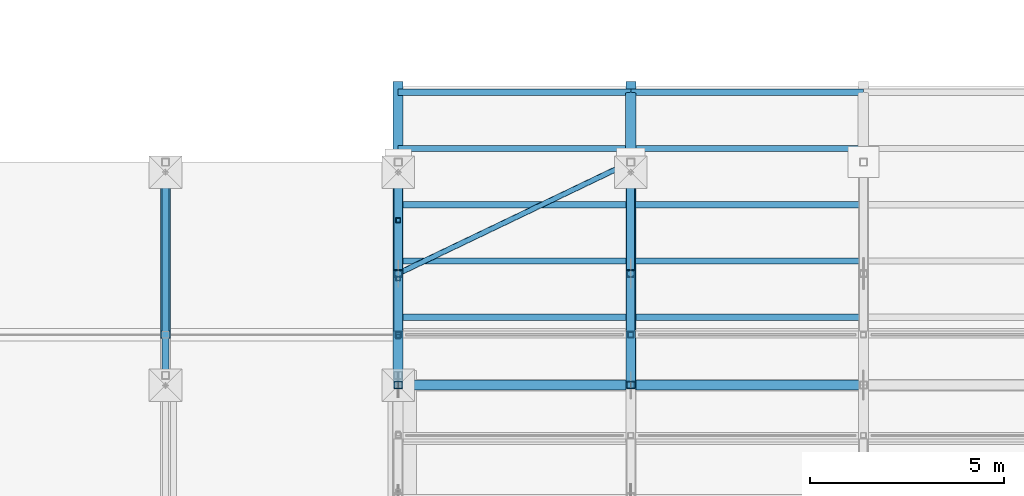
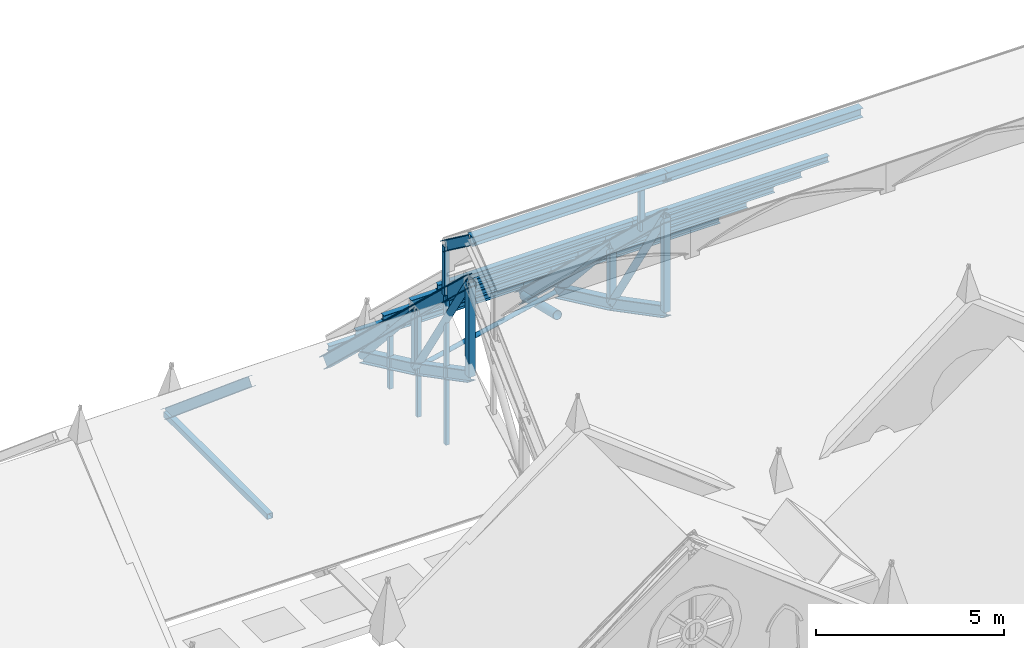
# One storey, part 6 of 33: 39 members.
"""IFC4 building model written with IfcOpenShell, lengths in metres."""

from ifc_helpers import new_model, si_unit, direction, frame, origin, origin_2d, place, context, subcontext, project, spatial, hollow_rectangle, hollow_circle, i_section, extrude, material, material_profile, profile_set, type_object, element, save


model = new_model("IFC4")

# Units and contexts
model_context = context("Model", 3, precision=1e-05, world=origin(), true_north=direction((0.0, 1.0)))
body_context = subcontext(model_context, "Body", "Model", "MODEL_VIEW")
ifc_project = project(units=[si_unit("LENGTHUNIT", "METRE"), si_unit("AREAUNIT", "SQUARE_METRE"), si_unit("VOLUMEUNIT", "CUBIC_METRE"), si_unit("PLANEANGLEUNIT", "RADIAN"), si_unit("MASSUNIT", "GRAM", prefix="KILO")], contexts=[model_context])

# Site, building, storey
site_placement = place(None, origin())
site = spatial("IfcSite", under=ifc_project, at=site_placement, CompositionType="ELEMENT")
building_placement = place(site_placement, origin())
building = spatial("IfcBuilding", under=site, at=building_placement, Name="Cumevento Cable Car Station", CompositionType="ELEMENT")
storey_placement = place(building_placement, frame((0.0, 0.0, 22.5)))
storey = spatial("IfcBuildingStorey", under=building, at=storey_placement, Name="RF", CompositionType="ELEMENT", Elevation=22.5)

# Members
ifc_material_1 = material(Name="Steel ASTM A572 Grade 50", Category="steel")
ifc_material_profile_1 = material_profile(ifc_material_1, hollow_rectangle(XDim=0.179931640625, YDim=0.179931640625, WallThickness=0.010009765625, at=origin_2d()), Name="HSS180x180x10.0")
ifc_profile_set_1 = profile_set([ifc_material_profile_1], Name="Steel ASTM A572 Grade 50")
member_type_1 = type_object("IfcMemberType", Name="Framing Brace BR-01 HSS180x180x10.0", PredefinedType="BRACE", material=ifc_profile_set_1)
member_1_placement = place(storey_placement, frame((58.0, 51.0, 0.360107421875), z_axis=(0.0, 1.0, 0.0), x_axis=(-1.0, 0.0, 0.0)))
element("IfcMember", 1, at=member_1_placement, inside=storey, type_object=member_type_1, Name="Wing B_V3d Truss Tie #756", PredefinedType="BRACE", context=body_context, shape_type="SweptSolid", body=[
    extrude(hollow_rectangle(XDim=0.179931640625, YDim=0.179931640625, WallThickness=0.010009765625, at=origin_2d()), origin(), (0.0, 0.0, 1.0), 5.5),
])
ifc_material_2 = material(Name="Steel ASTM A572 Grade 50", Category="steel")
ifc_material_profile_2 = material_profile(ifc_material_2, hollow_circle(Radius=0.06982421875, WallThickness=0.008056640625, at=origin_2d()), Name="CHS139.7x8.0")
ifc_profile_set_2 = profile_set([ifc_material_profile_2], Name="Steel ASTM A572 Grade 50")
member_type_2 = type_object("IfcMemberType", Name="Framing Brace BR-02 CHS139.7x8.0", PredefinedType="BRACE", material=ifc_profile_set_2)
member_2_placement = place(storey_placement, frame((64.0, 53.625, 1.489990234375), z_axis=(0.883803033724, 0.423488953659, -0.198870067403), x_axis=(-0.432120180431, 0.901816028725, 0.0)))
element("IfcMember", 2, at=member_2_placement, inside=storey, type_object=member_type_2, Name="Boarding Hall Roof Wind Brace #333", PredefinedType="BRACE", context=body_context, shape_type="SweptSolid", body=[
    extrude(hollow_circle(Radius=0.06982421875, WallThickness=0.008056640625, at=origin_2d()), origin(), (0.0, 0.0, 1.0), 6.788818359375),
])
ifc_material_3 = material(Name="Steel ASTM A572 Grade 50", Category="steel")
ifc_material_profile_3 = material_profile(ifc_material_3, hollow_circle(Radius=0.109619140625, WallThickness=0.012451171875, at=origin_2d()), Name="CHS219.1x12.5")
ifc_profile_set_3 = profile_set([ifc_material_profile_3], Name="Steel ASTM A572 Grade 50")
member_type_3 = type_object("IfcMemberType", Name="Framing Brace TD-01 CHS219.1x12.5", PredefinedType="BRACE", material=ifc_profile_set_3)
member_3_placement = place(storey_placement, frame((64.0, 56.5, 0.139892578125), z_axis=(0.0, -0.669655633009, 0.74267175332), x_axis=(1.0, 0.0, 0.0)))
element("IfcMember", 3, at=member_3_placement, inside=storey, type_object=member_type_3, Name="Boarding Hall Vault Arch Diagonal #20", PredefinedType="BRACE", context=body_context, shape_type="SweptSolid", body=[
    extrude(hollow_circle(Radius=0.109619140625, WallThickness=0.012451171875, at=origin_2d()), origin(), (0.0, 0.0, 1.0), 4.293212890625),
])
member_4_placement = place(storey_placement, frame((64.0, 53.625, 1.489990234375), z_axis=(0.0, -0.532794069711, 0.846244928659), x_axis=(1.0, 0.0, 0.0)))
element("IfcMember", 4, at=member_4_placement, inside=storey, type_object=member_type_3, Name="Boarding Hall Vault Arch Diagonal #21", PredefinedType="BRACE", context=body_context, shape_type="SweptSolid", body=[
    extrude(hollow_circle(Radius=0.109619140625, WallThickness=0.012451171875, at=origin_2d()), origin(), (0.0, 0.0, 1.0), 5.39599609375),
])
member_5_placement = place(storey_placement, frame((70.0, 56.5, 0.139892578125), z_axis=(0.0, -0.669655633009, 0.74267175332), x_axis=(1.0, 0.0, 0.0)))
element("IfcMember", 5, at=member_5_placement, inside=storey, type_object=member_type_3, Name="Boarding Hall Vault Arch Diagonal #47", PredefinedType="BRACE", context=body_context, shape_type="SweptSolid", body=[
    extrude(hollow_circle(Radius=0.109619140625, WallThickness=0.012451171875, at=origin_2d()), origin(), (0.0, 0.0, 1.0), 4.293212890625),
])
member_6_placement = place(storey_placement, frame((70.0, 53.625, 1.489990234375), z_axis=(0.0, -0.532794069711, 0.846244928659), x_axis=(1.0, 0.0, 0.0)))
element("IfcMember", 6, at=member_6_placement, inside=storey, type_object=member_type_3, Name="Boarding Hall Vault Arch Diagonal #48", PredefinedType="BRACE", context=body_context, shape_type="SweptSolid", body=[
    extrude(hollow_circle(Radius=0.109619140625, WallThickness=0.012451171875, at=origin_2d()), origin(), (0.0, 0.0, 1.0), 5.39599609375),
])
ifc_material_4 = material(Name="Steel ASTM A572 Grade 50", Category="steel")
ifc_material_profile_4 = material_profile(ifc_material_4, i_section(OverallWidth=0.257080078125, OverallDepth=0.363037109375, WebThickness=0.012939453125, FlangeThickness=0.021728515625, at=origin_2d()), Name="W360x122.0")
ifc_profile_set_4 = profile_set([ifc_material_profile_4], Name="Steel ASTM A572 Grade 50")
member_type_4 = type_object("IfcMemberType", Name="Framing Chord TC-01 W360x122.0", PredefinedType="CHORD", material=ifc_profile_set_4)
member_7_placement = place(storey_placement, frame((64.0, 50.75, 6.056396484375), z_axis=(0.0, 0.725405335462, -0.688321944502), x_axis=(-1.0, 0.0, 0.0)))
element("IfcMember", 7, at=member_7_placement, inside=storey, type_object=member_type_4, Name="Boarding Hall Vault Upper Rafter N #9", PredefinedType="CHORD", context=body_context, shape_type="SweptSolid", body=[
    extrude(i_section(OverallWidth=0.257080078125, OverallDepth=0.363037109375, WebThickness=0.012939453125, FlangeThickness=0.021728515625, at=origin_2d()), origin(), (0.0, 0.0, 1.0), 3.96337890625),
])
member_8_placement = place(storey_placement, frame((64.0, 53.625, 3.328369140625), z_axis=(0.0, 0.725363131924, -0.688366419028), x_axis=(-1.0, 0.0, 0.0)))
element("IfcMember", 8, at=member_8_placement, inside=storey, type_object=member_type_4, Name="Boarding Hall Vault Lower Rafter N #10", PredefinedType="CHORD", context=body_context, shape_type="SweptSolid", body=[
    extrude(i_section(OverallWidth=0.257080078125, OverallDepth=0.363037109375, WebThickness=0.012939453125, FlangeThickness=0.021728515625, at=origin_2d()), origin(), (0.0, 0.0, 1.0), 6.65185546875),
])
member_9_placement = place(storey_placement, frame((70.0, 50.75, 6.056396484375), z_axis=(0.0, 0.725405335462, -0.688321944502), x_axis=(-1.0, 0.0, 0.0)))
element("IfcMember", 9, at=member_9_placement, inside=storey, type_object=member_type_4, Name="Boarding Hall Vault Upper Rafter N #36", PredefinedType="CHORD", context=body_context, shape_type="SweptSolid", body=[
    extrude(i_section(OverallWidth=0.257080078125, OverallDepth=0.363037109375, WebThickness=0.012939453125, FlangeThickness=0.021728515625, at=origin_2d()), origin(), (0.0, 0.0, 1.0), 3.96337890625),
])
member_10_placement = place(storey_placement, frame((70.0, 53.625, 3.328369140625), z_axis=(0.0, 0.725363131924, -0.688366419028), x_axis=(-1.0, 0.0, 0.0)))
element("IfcMember", 10, at=member_10_placement, inside=storey, type_object=member_type_4, Name="Boarding Hall Vault Lower Rafter N #37", PredefinedType="CHORD", context=body_context, shape_type="SweptSolid", body=[
    extrude(i_section(OverallWidth=0.257080078125, OverallDepth=0.363037109375, WebThickness=0.012939453125, FlangeThickness=0.021728515625, at=origin_2d()), origin(), (0.0, 0.0, 1.0), 6.65185546875),
])
ifc_material_5 = material(Name="Steel ASTM A572 Grade 50", Category="steel")
ifc_material_profile_5 = material_profile(ifc_material_5, i_section(OverallWidth=0.2548828125, OverallDepth=0.35693359375, WebThickness=0.010498046875, FlangeThickness=0.018310546875, at=origin_2d()), Name="W360x101.0")
ifc_profile_set_5 = profile_set([ifc_material_profile_5], Name="Steel ASTM A572 Grade 50")
member_type_5 = type_object("IfcMemberType", Name="Framing Chord TC-02 W360x101.0", PredefinedType="CHORD", material=ifc_profile_set_5)
member_11_placement = place(storey_placement, frame((64.0, 50.75, 2.989990234375), z_axis=(0.0, 0.886584846165, -0.462566006695), x_axis=(-1.0, 0.0, 0.0)))
element("IfcMember", 11, at=member_11_placement, inside=storey, type_object=member_type_5, Name="Boarding Hall Pointed-Arch Bottom Chord #5", PredefinedType="CHORD", context=body_context, shape_type="SweptSolid", body=[
    extrude(i_section(OverallWidth=0.2548828125, OverallDepth=0.35693359375, WebThickness=0.010498046875, FlangeThickness=0.018310546875, at=origin_2d()), origin(), (0.0, 0.0, 1.0), 3.24267578125),
])
member_12_placement = place(storey_placement, frame((64.0, 53.625, 1.489990234375), z_axis=(0.0, 0.905163318391, -0.425063956411), x_axis=(-1.0, 0.0, 0.0)))
element("IfcMember", 12, at=member_12_placement, inside=storey, type_object=member_type_5, Name="Boarding Hall Pointed-Arch Bottom Chord #6", PredefinedType="CHORD", context=body_context, shape_type="SweptSolid", body=[
    extrude(i_section(OverallWidth=0.2548828125, OverallDepth=0.35693359375, WebThickness=0.010498046875, FlangeThickness=0.018310546875, at=origin_2d()), origin(), (0.0, 0.0, 1.0), 3.17626953125),
])
member_13_placement = place(storey_placement, frame((70.0, 50.75, 2.989990234375), z_axis=(0.0, 0.886584846165, -0.462566006695), x_axis=(-1.0, 0.0, 0.0)))
element("IfcMember", 13, at=member_13_placement, inside=storey, type_object=member_type_5, Name="Boarding Hall Pointed-Arch Bottom Chord #32", PredefinedType="CHORD", context=body_context, shape_type="SweptSolid", body=[
    extrude(i_section(OverallWidth=0.2548828125, OverallDepth=0.35693359375, WebThickness=0.010498046875, FlangeThickness=0.018310546875, at=origin_2d()), origin(), (0.0, 0.0, 1.0), 3.24267578125),
])
member_14_placement = place(storey_placement, frame((70.0, 53.625, 1.489990234375), z_axis=(0.0, 0.905163318391, -0.425063956411), x_axis=(-1.0, 0.0, 0.0)))
element("IfcMember", 14, at=member_14_placement, inside=storey, type_object=member_type_5, Name="Boarding Hall Pointed-Arch Bottom Chord #33", PredefinedType="CHORD", context=body_context, shape_type="SweptSolid", body=[
    extrude(i_section(OverallWidth=0.2548828125, OverallDepth=0.35693359375, WebThickness=0.010498046875, FlangeThickness=0.018310546875, at=origin_2d()), origin(), (0.0, 0.0, 1.0), 3.17626953125),
])
ifc_material_6 = material(Name="Steel ASTM A572 Grade 50", Category="steel")
ifc_material_profile_6 = material_profile(ifc_material_6, i_section(OverallWidth=0.25390625, OverallDepth=0.305908203125, WebThickness=0.0087890625, FlangeThickness=0.0146484375, at=origin_2d()), Name="W310x79.0")
ifc_profile_set_6 = profile_set([ifc_material_profile_6], Name="Steel ASTM A572 Grade 50")
member_type_6 = type_object("IfcMemberType", Name="Framing Chord TC-03 W310x79.0", PredefinedType="CHORD", material=ifc_profile_set_6)
for number, where, z_axis, x_axis, name in (
    (15, (64.0, 52.050048828125, 6.419921875), (0.0, -0.804455479385, 0.594012947407), (1.0, 0.0, 0.0), "Boarding Hall Lantern Pointed Rafter #14"),
    (16, (70.0, 52.050048828125, 6.419921875), (0.0, -0.804455479385, 0.594012947407), (1.0, 0.0, 0.0), "Boarding Hall Lantern Pointed Rafter #41"),
):
    element("IfcMember", number, at=place(storey_placement, frame(where, z_axis=z_axis, x_axis=x_axis)), inside=storey, type_object=member_type_6, Name=name, PredefinedType="CHORD", context=body_context, shape_type="SweptSolid", body=[
        extrude(i_section(OverallWidth=0.25390625, OverallDepth=0.305908203125, WebThickness=0.0087890625, FlangeThickness=0.0146484375, at=origin_2d()), origin(), (0.0, 0.0, 1.0), 1.615966796875),
    ])
for number, where, z_axis, x_axis, name in (
    (17, (64.0, 50.75, 7.3798828125), (1.0, 0.0, 0.0), (0.0, 1.0, 0.0), "Boarding Hall Lantern Ridge Beam #243"),
    (18, (70.0, 50.75, 7.3798828125), (1.0, 0.0, 0.0), (0.0, 1.0, 0.0), "Boarding Hall Lantern Ridge Beam #254"),
):
    element("IfcMember", number, at=place(storey_placement, frame(where, z_axis=z_axis, x_axis=x_axis)), inside=storey, type_object=member_type_6, Name=name, PredefinedType="CHORD", context=body_context, shape_type="SweptSolid", body=[
        extrude(i_section(OverallWidth=0.25390625, OverallDepth=0.305908203125, WebThickness=0.0087890625, FlangeThickness=0.0146484375, at=origin_2d()), origin(), (0.0, 0.0, 1.0), 6.0),
    ])
member_15_placement = place(storey_placement, frame((58.0, 56.5, 0.360107421875), z_axis=(0.0, -0.766050009553, 0.642780975811), x_axis=(1.0, 0.0, 0.0)))
element("IfcMember", 19, at=member_15_placement, inside=storey, type_object=member_type_6, Name="Wing B_V3d Rafter #759", PredefinedType="CHORD", context=body_context, shape_type="SweptSolid", body=[
    extrude(i_section(OverallWidth=0.25390625, OverallDepth=0.305908203125, WebThickness=0.0087890625, FlangeThickness=0.0146484375, at=origin_2d()), origin(), (0.0, 0.0, 1.0), 5.808837890625),
])
ifc_material_7 = material(Name="Steel ASTM A572 Grade 50", Category="steel")
ifc_material_profile_7 = material_profile(ifc_material_7, hollow_rectangle(XDim=0.199951171875, YDim=0.199951171875, WallThickness=0.012451171875, at=origin_2d()), Name="HSS200x200x12.5")
ifc_profile_set_7 = profile_set([ifc_material_profile_7], Name="Steel ASTM A572 Grade 50")
member_type_7 = type_object("IfcMemberType", Name="Framing Post TD-03 HSS200x200x12.5", PredefinedType="POST", material=ifc_profile_set_7)
member_16_placement = place(storey_placement, frame((64.0, 50.75, 2.989990234375), z_axis=(0.0, 0.0, 1.0), x_axis=(1.0, 0.0, 0.0)))
element("IfcMember", 20, at=member_16_placement, inside=storey, type_object=member_type_7, Name="Boarding Hall Truss Web Vertical #16", PredefinedType="POST", context=body_context, shape_type="SweptSolid", body=[
    extrude(hollow_rectangle(XDim=0.199951171875, YDim=0.199951171875, WallThickness=0.012451171875, at=origin_2d()), origin(), (0.0, 0.0, 1.0), 3.06640625),
])
member_17_placement = place(storey_placement, frame((64.0, 53.625, 1.489990234375), z_axis=(0.0, 0.0, 1.0), x_axis=(1.0, 0.0, 0.0)))
element("IfcMember", 21, at=member_17_placement, inside=storey, type_object=member_type_7, Name="Boarding Hall Truss Web Vertical #17", PredefinedType="POST", context=body_context, shape_type="SweptSolid", body=[
    extrude(hollow_rectangle(XDim=0.199951171875, YDim=0.199951171875, WallThickness=0.012451171875, at=origin_2d()), origin(), (0.0, 0.0, 1.0), 1.83837890625),
])
member_18_placement = place(storey_placement, frame((70.0, 50.75, 2.989990234375), z_axis=(0.0, 0.0, 1.0), x_axis=(1.0, 0.0, 0.0)))
element("IfcMember", 22, at=member_18_placement, inside=storey, type_object=member_type_7, Name="Boarding Hall Truss Web Vertical #43", PredefinedType="POST", context=body_context, shape_type="SweptSolid", body=[
    extrude(hollow_rectangle(XDim=0.199951171875, YDim=0.199951171875, WallThickness=0.012451171875, at=origin_2d()), origin(), (0.0, 0.0, 1.0), 3.06640625),
])
member_19_placement = place(storey_placement, frame((70.0, 53.625, 1.489990234375), z_axis=(0.0, 0.0, 1.0), x_axis=(1.0, 0.0, 0.0)))
element("IfcMember", 23, at=member_19_placement, inside=storey, type_object=member_type_7, Name="Boarding Hall Truss Web Vertical #44", PredefinedType="POST", context=body_context, shape_type="SweptSolid", body=[
    extrude(hollow_rectangle(XDim=0.199951171875, YDim=0.199951171875, WallThickness=0.012451171875, at=origin_2d()), origin(), (0.0, 0.0, 1.0), 1.83837890625),
])
ifc_material_8 = material(Name="Steel ASTM A572 Grade 50", Category="steel")
ifc_material_profile_8 = material_profile(ifc_material_8, hollow_rectangle(XDim=0.14990234375, YDim=0.14990234375, WallThickness=0.010009765625, at=origin_2d()), Name="HSS150x150x10.0")
ifc_profile_set_8 = profile_set([ifc_material_profile_8], Name="Steel ASTM A572 Grade 50")
member_type_8 = type_object("IfcMemberType", Name="Framing Post TD-04 HSS150x150x10.0", PredefinedType="POST", material=ifc_profile_set_8)
for number, where, z_axis, x_axis, name in (
    (24, (64.0, 52.050048828125, 4.822998046875), (0.0, 0.0, 1.0), (1.0, 0.0, 0.0), "Boarding Hall Lantern Clerestory Post #13"),
    (25, (70.0, 52.050048828125, 4.822998046875), (0.0, 0.0, 1.0), (1.0, 0.0, 0.0), "Boarding Hall Lantern Clerestory Post #40"),
):
    element("IfcMember", number, at=place(storey_placement, frame(where, z_axis=z_axis, x_axis=x_axis)), inside=storey, type_object=member_type_8, Name=name, PredefinedType="POST", context=body_context, shape_type="SweptSolid", body=[
        extrude(hollow_rectangle(XDim=0.14990234375, YDim=0.14990234375, WallThickness=0.010009765625, at=origin_2d()), origin(), (0.0, 0.0, 1.0), 1.596923828125),
    ])
ifc_material_9 = material(Name="Steel ASTM A572 Grade 50", Category="steel")
ifc_material_profile_9 = material_profile(ifc_material_9, i_section(OverallWidth=0.1650390625, OverallDepth=0.200927734375, WebThickness=0.006103515625, FlangeThickness=0.01025390625, at=origin_2d()), Name="W200x35.9")
ifc_profile_set_9 = profile_set([ifc_material_profile_9], Name="Steel ASTM A572 Grade 50")
member_type_9 = type_object("IfcMemberType", Name="Framing Purlin PR-01 W200x35.9", PredefinedType="PURLIN", material=ifc_profile_set_9)
for number, where, z_axis, x_axis, name in (
    (26, (64.0, 52.5, 4.79150390625), (1.0, 0.0, 0.0), (0.0, 1.0, 0.0), "Boarding Hall Vault Purlin #238"),
    (27, (64.0, 53.949951171875, 3.41552734375), (1.0, 0.0, 0.0), (0.0, 1.0, 0.0), "Boarding Hall Vault Purlin #239"),
    (28, (64.0, 55.39990234375, 2.03955078125), (1.0, 0.0, 0.0), (0.0, 1.0, 0.0), "Boarding Hall Vault Purlin #240"),
    (29, (64.0, 56.85009765625, 0.66357421875), (1.0, 0.0, 0.0), (0.0, 1.0, 0.0), "Boarding Hall Vault Purlin #241"),
    (30, (64.0, 58.300048828125, -0.71240234375), (1.0, 0.0, 0.0), (0.0, 1.0, 0.0), "Boarding Hall Vault Purlin #242"),
    (31, (70.0, 52.5, 4.79150390625), (1.0, 0.0, 0.0), (0.0, 1.0, 0.0), "Boarding Hall Vault Purlin #249"),
    (32, (70.0, 53.949951171875, 3.41552734375), (1.0, 0.0, 0.0), (0.0, 1.0, 0.0), "Boarding Hall Vault Purlin #250"),
    (33, (70.0, 55.39990234375, 2.03955078125), (1.0, 0.0, 0.0), (0.0, 1.0, 0.0), "Boarding Hall Vault Purlin #251"),
    (34, (70.0, 56.85009765625, 0.66357421875), (1.0, 0.0, 0.0), (0.0, 1.0, 0.0), "Boarding Hall Vault Purlin #252"),
    (35, (70.0, 58.300048828125, -0.71240234375), (1.0, 0.0, 0.0), (0.0, 1.0, 0.0), "Boarding Hall Vault Purlin #253"),
):
    element("IfcMember", number, at=place(storey_placement, frame(where, z_axis=z_axis, x_axis=x_axis)), inside=storey, type_object=member_type_9, Name=name, PredefinedType="PURLIN", context=body_context, shape_type="SweptSolid", body=[
        extrude(i_section(OverallWidth=0.1650390625, OverallDepth=0.200927734375, WebThickness=0.006103515625, FlangeThickness=0.01025390625, at=origin_2d()), origin(), (0.0, 0.0, 1.0), 6.0),
    ])
ifc_material_10 = material(Name="Steel ASTM A572 Grade 50", Category="steel")
ifc_material_profile_10 = material_profile(ifc_material_10, hollow_rectangle(XDim=0.1201171875, YDim=0.1201171875, WallThickness=0.008056640625, at=origin_2d()), Name="HSS120x120x8.0")
ifc_profile_set_10 = profile_set([ifc_material_profile_10], Name="Steel ASTM A572 Grade 50")
member_type_10 = type_object("IfcMemberType", Name="Framing Strut BR-03 HSS120x120x8.0", PredefinedType="STRUT", material=ifc_profile_set_10)
member_20_placement = place(storey_placement, frame((64.0, 52.0, 0.0), z_axis=(0.0, 0.0, 1.0), x_axis=(1.0, 0.0, 0.0)))
element("IfcMember", 36, at=member_20_placement, inside=storey, type_object=member_type_10, Name="Boarding Hall Gable Tracery Mullion #25", PredefinedType="STRUT", context=body_context, shape_type="SweptSolid", body=[
    extrude(hollow_rectangle(XDim=0.1201171875, YDim=0.1201171875, WallThickness=0.008056640625, at=origin_2d()), origin(), (0.0, 0.0, 1.0), 4.870361328125),
])
member_21_placement = place(storey_placement, frame((64.0, 53.5, 0.0), z_axis=(0.0, 0.0, 1.0), x_axis=(1.0, 0.0, 0.0)))
element("IfcMember", 37, at=member_21_placement, inside=storey, type_object=member_type_10, Name="Boarding Hall Gable Tracery Mullion #26", PredefinedType="STRUT", context=body_context, shape_type="SweptSolid", body=[
    extrude(hollow_rectangle(XDim=0.1201171875, YDim=0.1201171875, WallThickness=0.008056640625, at=origin_2d()), origin(), (0.0, 0.0, 1.0), 3.447021484375),
])
member_22_placement = place(storey_placement, frame((64.0, 55.0, 0.0), z_axis=(0.0, 0.0, 1.0), x_axis=(1.0, 0.0, 0.0)))
element("IfcMember", 38, at=member_22_placement, inside=storey, type_object=member_type_10, Name="Boarding Hall Gable Tracery Mullion #27", PredefinedType="STRUT", context=body_context, shape_type="SweptSolid", body=[
    extrude(hollow_rectangle(XDim=0.1201171875, YDim=0.1201171875, WallThickness=0.008056640625, at=origin_2d()), origin(), (0.0, 0.0, 1.0), 2.0234375),
])
ifc_material_11 = material(Name="Steel ASTM A572 Grade 50", Category="steel")
ifc_material_profile_11 = material_profile(ifc_material_11, hollow_circle(Radius=0.136474609375, WallThickness=0.012451171875, at=origin_2d()), Name="CHS273.0x12.5")
ifc_profile_set_11 = profile_set([ifc_material_profile_11], Name="Steel ASTM A572 Grade 50")
member_type_11 = type_object("IfcMemberType", Name="Framing Strut BR-04 CHS273.0x12.5", PredefinedType="STRUT", material=ifc_profile_set_11)
member_23_placement = place(storey_placement, frame((70.0, 56.5, -0.64990234375), z_axis=(0.0, 0.971775656246, -0.23590691793), x_axis=(-1.0, 0.0, 0.0)))
element("IfcMember", 39, at=member_23_placement, inside=storey, type_object=member_type_11, Name="Boarding Hall Vault Arch Diagonal #50", PredefinedType="STRUT", context=body_context, shape_type="SweptSolid", body=[
    extrude(hollow_circle(Radius=0.136474609375, WallThickness=0.012451171875, at=origin_2d()), origin(), (0.0, 0.0, 1.0), 1.821533203125),
])

save(model, "model.ifc")
